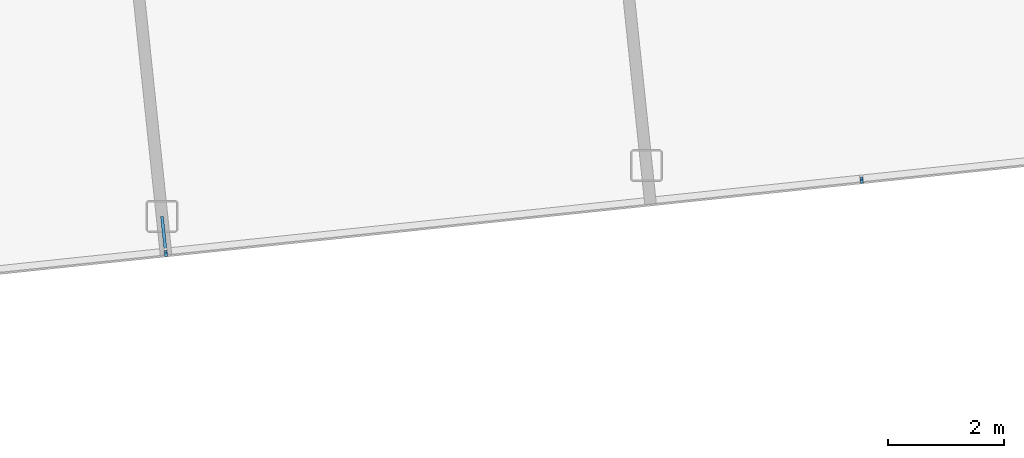
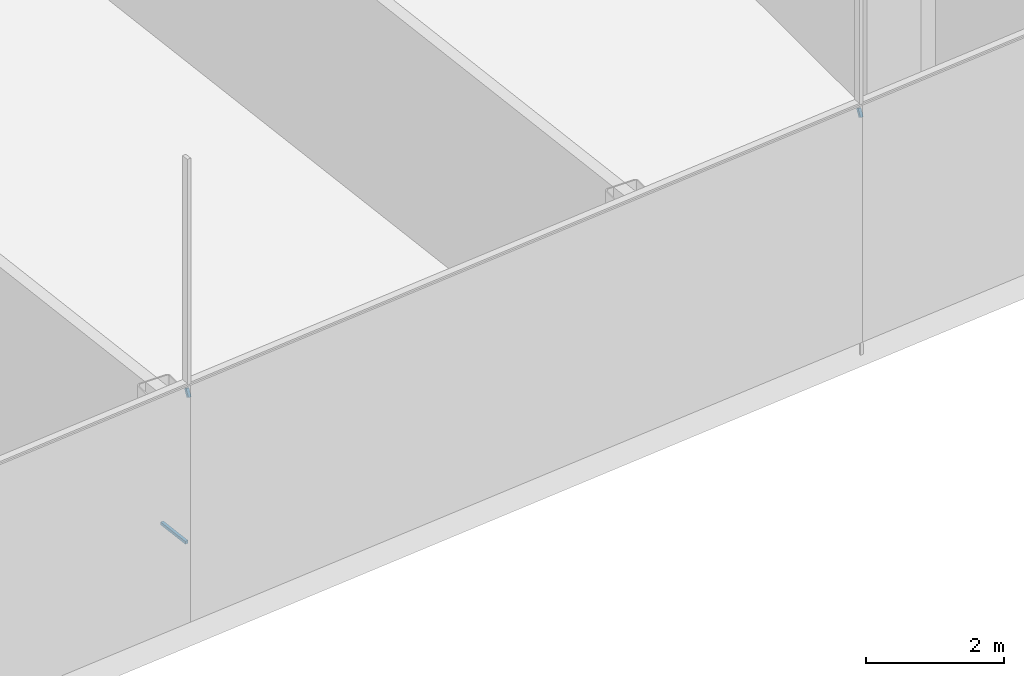
# One storey, part 31 of 41: 3 discrete accessories.
"""IFC4 building model written with IfcOpenShell, lengths in metres."""

from ifc_helpers import new_model, si_unit, direction, frame, origin, origin_2d, place, context, subcontext, project, spatial, rectangle, extrude, material, material_profile, profile_set, type_object, element, save


model = new_model("IFC4")

# Units and contexts
model_context = context("Model", 3, precision=1e-05, world=origin(), true_north=direction((0.0, 1.0)))
body_context = subcontext(model_context, "Body", "Model", "MODEL_VIEW")
ifc_project = project(units=[si_unit("LENGTHUNIT", "METRE"), si_unit("AREAUNIT", "SQUARE_METRE"), si_unit("VOLUMEUNIT", "CUBIC_METRE"), si_unit("PLANEANGLEUNIT", "RADIAN"), si_unit("MASSUNIT", "GRAM", prefix="KILO")], contexts=[model_context])

# Site, building, storey
site_placement = place(None, origin())
site = spatial("IfcSite", under=ifc_project, at=site_placement, CompositionType="ELEMENT")
building_placement = place(site_placement, origin())
building = spatial("IfcBuilding", under=site, at=building_placement, Name="Hakoniwa Tower and Hamabe Station Hall", CompositionType="ELEMENT")
storey_placement = place(building_placement, frame((0.0, 0.0, 276.60009765625)))
storey = spatial("IfcBuildingStorey", under=building, at=storey_placement, Name="L77", CompositionType="ELEMENT", Elevation=276.60009765625)

# Discrete accessories
ifc_material = material(Name="Stainless steel SUS304", Category="steel")
ifc_material_profile = material_profile(ifc_material, rectangle(XDim=0.050048828125, YDim=0.050048828125, at=origin_2d()), Name="CW-4 GLAZING BRACKET 50X50")
ifc_profile_set = profile_set([ifc_material_profile], Name="Stainless steel SUS304")
discrete_accessory_type = type_object("IfcDiscreteAccessoryType", Name="CW-4 GLAZING BRACKET 50X50", PredefinedType="BRACKET", material=ifc_profile_set)
discrete_accessory_placement = place(storey_placement, frame((1.798828125, -14.61572265625, 1.366455078125), z_axis=(-0.104455618622, 0.994529548952, 0.0), x_axis=(-0.994529548952, -0.104455618622, 0.0)))
element("IfcDiscreteAccessory", 1, at=discrete_accessory_placement, inside=storey, type_object=discrete_accessory_type, Name="Glazing bracket", PredefinedType="BRACKET", context=body_context, shape_type="SweptSolid", body=[
    extrude(rectangle(XDim=0.050048828125, YDim=0.050048828125, at=origin_2d()), origin(), (0.0, 0.0, 1.0), 0.610107421875),
])
for number, where, z_axis, x_axis, name in (
    (2, (1.798828125, -14.61572265625, 4.099853515625), (0.045793671974, -0.429755998525, -0.901783078872), (0.994370656274, 0.105957528947, 0.0), "Glazing bracket"),
    (3, (13.796142578125, -13.354736328125, 4.099853515625), (0.045758977939, -0.431190369039, -0.901099873258), (0.994416132921, 0.10552987533, 0.0), "Glazing bracket"),
):
    element("IfcDiscreteAccessory", number, at=place(storey_placement, frame(where, z_axis=z_axis, x_axis=x_axis)), inside=storey, type_object=discrete_accessory_type, Name=name, PredefinedType="BRACKET", context=body_context, shape_type="SweptSolid", body=[
        extrude(rectangle(XDim=0.050048828125, YDim=0.050048828125, at=origin_2d()), origin(), (0.0, 0.0, 1.0), 0.138671875),
    ])

save(model, "model.ifc")
